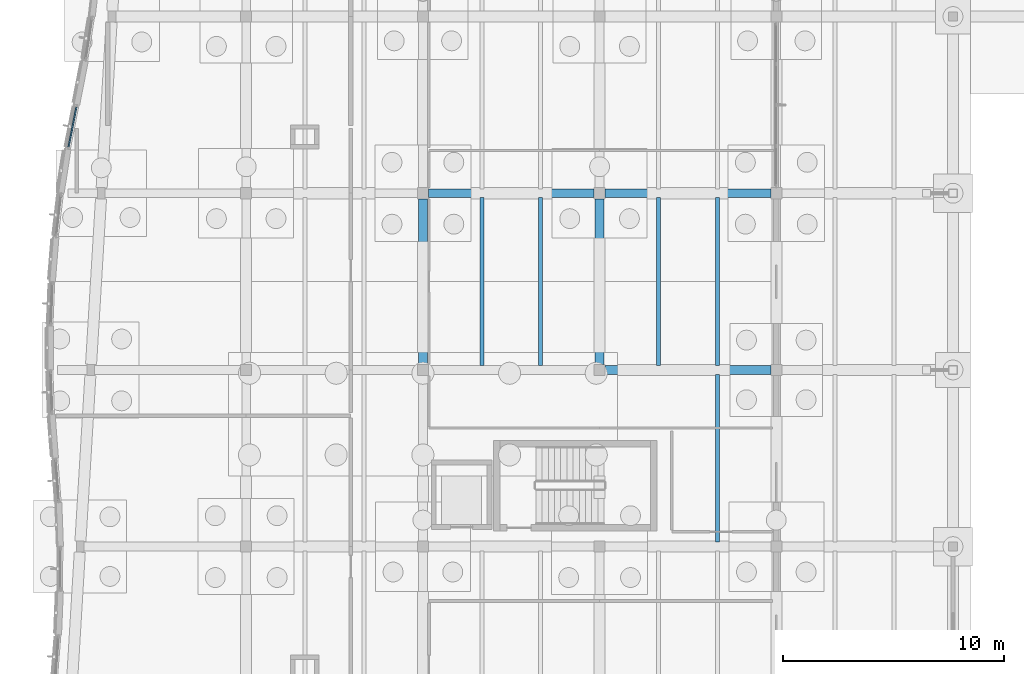
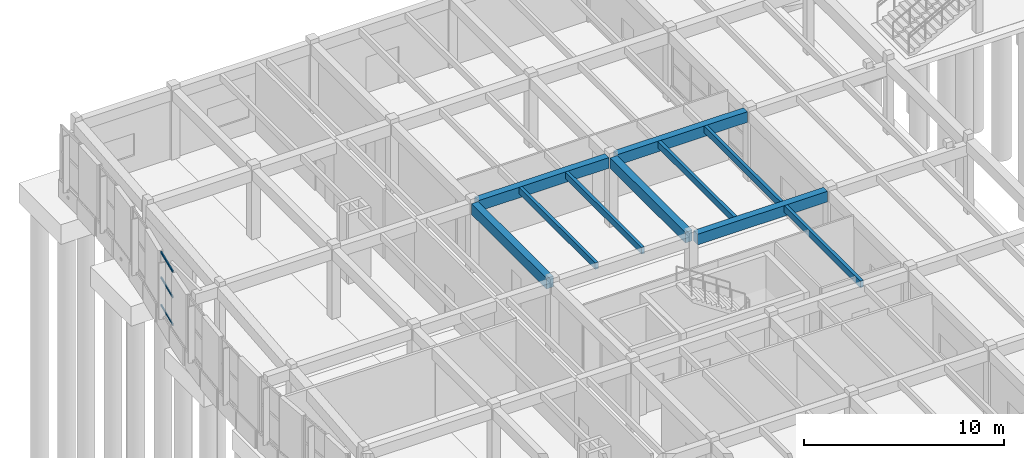
# One storey, part 25 of 99: 10 beams, 3 members, 1 element without a shape of its own.
"""IFC4 building model written with IfcOpenShell, lengths in metres."""

from ifc_helpers import new_model, si_unit, direction, frame, origin, origin_2d, place, context, subcontext, project, spatial, rectangle, extrude, material, layer, layer_set, material_profile, profile_set, type_object, element, aggregate, save


model = new_model("IFC4")

# Units and contexts
model_context = context("Model", 3, precision=1e-05, world=origin(), true_north=direction((0.0, 1.0)))
body_context = subcontext(model_context, "Body", "Model", "MODEL_VIEW")
ifc_project = project(units=[si_unit("LENGTHUNIT", "METRE"), si_unit("AREAUNIT", "SQUARE_METRE"), si_unit("VOLUMEUNIT", "CUBIC_METRE"), si_unit("PLANEANGLEUNIT", "RADIAN"), si_unit("MASSUNIT", "GRAM", prefix="KILO")], contexts=[model_context])

# Site, building, storey
site_placement = place(None, origin())
site = spatial("IfcSite", under=ifc_project, at=site_placement, CompositionType="ELEMENT")
building_placement = place(site_placement, origin())
building = spatial("IfcBuilding", under=site, at=building_placement, Name="Tonlespit Floodbar School", CompositionType="ELEMENT")
storey_placement = place(building_placement, origin())
storey = spatial("IfcBuildingStorey", under=building, at=storey_placement, Name="L00", CompositionType="ELEMENT", Elevation=0.0)

# Beams
ifc_material_1 = material(Name="Concrete C40/50", Category="concrete")
ifc_material_profile_1 = material_profile(ifc_material_1, rectangle(XDim=0.39990234375, YDim=0.64990234375, at=origin_2d()), Name="RC 400x650")
ifc_profile_set_1 = profile_set([ifc_material_profile_1], Name="Concrete C40/50")
beam_type_1 = type_object("IfcBeamType", Name="Beam_RC_400x650", PredefinedType="BEAM", material=ifc_profile_set_1)
for number, where, z_axis, x_axis, name in (
    (1, (28.25, 72.0, 3.9150390625), (1.0, 0.0, 0.0), (0.0, 1.0, 0.0), "L00 girder 0071"),
    (2, (20.25, 80.0, 3.9150390625), (1.0, 0.0, 0.0), (0.0, 1.0, 0.0), "L00 girder 0081"),
    (3, (28.25, 80.0, 3.9150390625), (1.0, 0.0, 0.0), (0.0, 1.0, 0.0), "L00 girder 0082"),
    (4, (20.0, 72.25, 3.9150390625), (0.0, 1.0, 0.0), (-1.0, 0.0, 0.0), "L00 girder 0194"),
    (5, (28.0, 72.25, 3.9150390625), (0.0, 1.0, 0.0), (-1.0, 0.0, 0.0), "L00 girder 0206"),
):
    element("IfcBeam", number, at=place(storey_placement, frame(where, z_axis=z_axis, x_axis=x_axis)), inside=storey, type_object=beam_type_1, Name=name, PredefinedType="BEAM", context=body_context, shape_type="SweptSolid", body=[
        extrude(rectangle(XDim=0.39990234375, YDim=0.64990234375, at=origin_2d()), origin(), (0.0, 0.0, 1.0), 7.5),
    ])

# Curtain wall, members
ifc_material_2 = material(Name="Anodised Aluminium", Category="aluminium")
ifc_layer = layer(ifc_material_2, 0.159912109375)
ifc_layer_set = layer_set([ifc_layer], Name="Anodised Aluminium")
curtain_wall_type = type_object("IfcCurtainWallType", Name="CurtainWall_1950x3300", PredefinedType="NOTDEFINED", material=ifc_layer_set)
curtain_wall_placement = place(storey_placement, origin())
curtain_wall = element("IfcCurtainWall", 6, at=curtain_wall_placement, inside=storey, type_object=curtain_wall_type, Name="L00 unitised curtain wall 0262", PredefinedType="NOTDEFINED")
ifc_material_profile_2 = material_profile(ifc_material_2, rectangle(XDim=0.06494140625, YDim=0.1201171875, at=origin_2d()), Name="ALU T65x120")
ifc_profile_set_2 = profile_set([ifc_material_profile_2], Name="Anodised Aluminium")
member_type = type_object("IfcMemberType", Name="CW_Transom_65x120", PredefinedType="USERDEFINED", material=ifc_profile_set_2)
member_1_placement = place(storey_placement, frame((3.95849609375, 82.10302734375, 0.982421875), z_axis=(0.192184975047, 0.981358719004, 0.0), x_axis=(-0.981358719004, 0.192184975047, 0.0)))
member_1 = element("IfcMember", 7, at=member_1_placement, type_object=member_type, Name="CW-01 transom 1.1", ObjectType="TRANSOM", PredefinedType="USERDEFINED", context=body_context, shape_type="SweptSolid", body=[
    extrude(rectangle(XDim=0.06494140625, YDim=0.1201171875, at=origin_2d()), origin(), (0.0, 0.0, 1.0), 1.828125),
])
member_2_placement = place(storey_placement, frame((3.95849609375, 82.10302734375, 2.660888671875), z_axis=(0.192184975047, 0.981358719004, 0.0), x_axis=(-0.981358719004, 0.192184975047, 0.0)))
member_2 = element("IfcMember", 8, at=member_2_placement, type_object=member_type, Name="CW-01 transom 1.2", ObjectType="TRANSOM", PredefinedType="USERDEFINED", context=body_context, shape_type="SweptSolid", body=[
    extrude(rectangle(XDim=0.06494140625, YDim=0.1201171875, at=origin_2d()), origin(), (0.0, 0.0, 1.0), 1.828125),
])
member_3_placement = place(storey_placement, frame((3.95849609375, 82.10302734375, 4.20751953125), z_axis=(0.192184975047, 0.981358719004, 0.0), x_axis=(-0.981358719004, 0.192184975047, 0.0)))
member_3 = element("IfcMember", 9, at=member_3_placement, type_object=member_type, Name="CW-01 transom 1.3", ObjectType="TRANSOM", PredefinedType="USERDEFINED", context=body_context, shape_type="SweptSolid", body=[
    extrude(rectangle(XDim=0.06494140625, YDim=0.1201171875, at=origin_2d()), origin(), (0.0, 0.0, 1.0), 1.828125),
])
aggregate(curtain_wall, [member_1, member_2, member_3])

# Beams
ifc_material_3 = material(Name="Glulam GL28h", Category="wood")
ifc_material_profile_3 = material_profile(ifc_material_3, rectangle(XDim=0.179931640625, YDim=0.39990234375, at=origin_2d()), Name="GL 180x400")
ifc_profile_set_3 = profile_set([ifc_material_profile_3], Name="Glulam GL28h")
beam_type_2 = type_object("IfcBeamType", Name="Joist_GL_180x400", PredefinedType="JOIST", material=ifc_profile_set_3)
for number, where, z_axis, x_axis, name in (
    (10, (33.333251953125, 64.199951171875, 4.0400390625), (0.0, 1.0, 0.0), (-1.0, 0.0, 0.0), "L00 secondary joist 0421"),
    (11, (22.666748046875, 72.199951171875, 4.0400390625), (0.0, 1.0, 0.0), (-1.0, 0.0, 0.0), "L00 secondary joist 0438"),
    (12, (25.333251953125, 72.199951171875, 4.0400390625), (0.0, 1.0, 0.0), (-1.0, 0.0, 0.0), "L00 secondary joist 0439"),
    (13, (30.666748046875, 72.199951171875, 4.0400390625), (0.0, 1.0, 0.0), (-1.0, 0.0, 0.0), "L00 secondary joist 0440"),
    (14, (33.333251953125, 72.199951171875, 4.0400390625), (0.0, 1.0, 0.0), (-1.0, 0.0, 0.0), "L00 secondary joist 0441"),
):
    element("IfcBeam", number, at=place(storey_placement, frame(where, z_axis=z_axis, x_axis=x_axis)), inside=storey, type_object=beam_type_2, Name=name, PredefinedType="JOIST", context=body_context, shape_type="SweptSolid", body=[
        extrude(rectangle(XDim=0.179931640625, YDim=0.39990234375, at=origin_2d()), origin(), (0.0, 0.0, 1.0), 7.60009765625),
    ])

save(model, "model.ifc")
